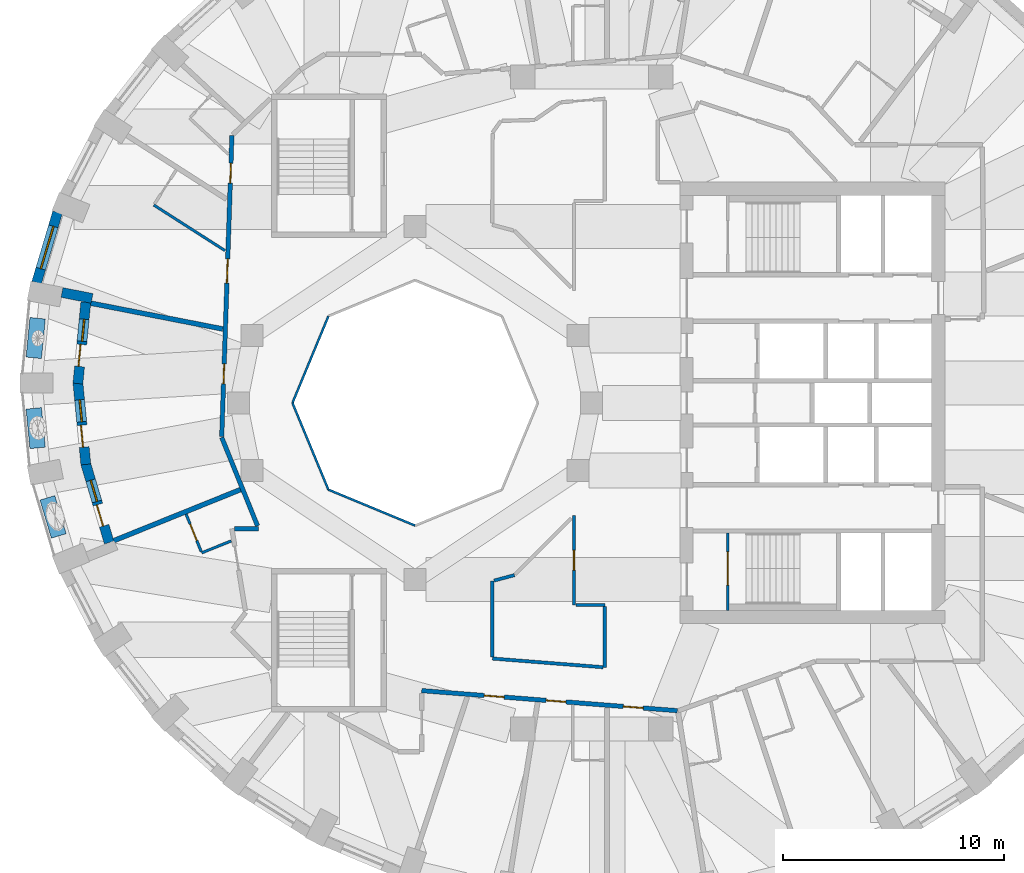
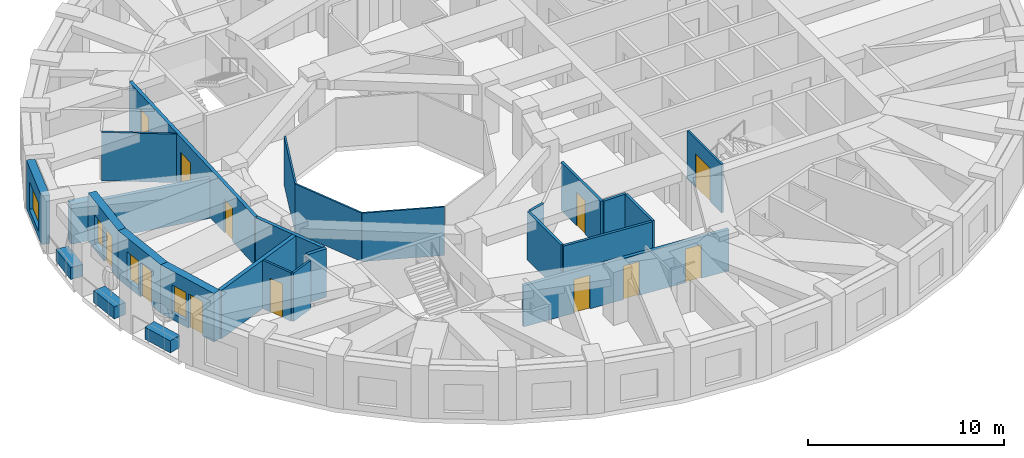
# One storey, part 4 of 12: 27 walls, 12 doors, 4 windows, 16 openings.
"""IFC4 building model written with IfcOpenShell, lengths in metres."""

from ifc_helpers import new_model, si_unit, direction, frame, frame_2d, origin, place, context, subcontext, project, spatial, rectangle, extrude, material, layer, layer_set, constituent, constituent_set, type_object, element, fill, save


model = new_model("IFC4")

# Units and contexts
model_context = context("Model", 3, precision=1e-05, world=origin(), true_north=direction((0.0, 1.0)))
body_context = subcontext(model_context, "Body", "Model", "MODEL_VIEW")
ifc_project = project(units=[si_unit("LENGTHUNIT", "METRE"), si_unit("AREAUNIT", "SQUARE_METRE"), si_unit("VOLUMEUNIT", "CUBIC_METRE"), si_unit("PLANEANGLEUNIT", "RADIAN"), si_unit("MASSUNIT", "GRAM", prefix="KILO")], contexts=[model_context])

# Site, building, storey
site_placement = place(None, origin())
site = spatial("IfcSite", under=ifc_project, at=site_placement, CompositionType="ELEMENT")
building_placement = place(site_placement, origin())
building = spatial("IfcBuilding", under=site, at=building_placement, Name="Taillehof Tower", CompositionType="ELEMENT")
storey_placement = place(building_placement, frame((0.0, 0.0, 189.199951171875)))
storey = spatial("IfcBuildingStorey", under=building, at=storey_placement, Name="L53", CompositionType="ELEMENT", Elevation=189.199951171875)

# Walls
ifc_material_1 = material(Name="Fire-resisting glass in steel frame", Category="steel")
ifc_layer_1 = layer(ifc_material_1, 0.10009765625)
ifc_layer_set_1 = layer_set([ifc_layer_1], Name="Atrium fire-resisting screen EI 60 100")
wall_type_1 = type_object("IfcWallType", Name="Atrium fire-resisting screen EI 60 100", PredefinedType="PARTITIONING", material=ifc_layer_set_1)
for number, where, z_axis, x_axis, name in (
    (1, (-8.0, -5.55419921875, 0.0), (0.0, 0.0, 1.0), (-0.923860025149, 0.382730523909, 0.0), "Atrium screen"),
    (2, (-11.92724609375, -3.92724609375, 0.0), (0.0, 0.0, 1.0), (-0.382730523909, 0.923860025149, 0.0), "Atrium screen"),
    (3, (-13.55419921875, 0.0, 0.0), (0.0, 0.0, 1.0), (0.382730523909, 0.923860025149, 0.0), "Atrium screen"),
):
    element("IfcWall", number, at=place(storey_placement, frame(where, z_axis=z_axis, x_axis=x_axis)), inside=storey, type_object=wall_type_1, Name=name, PredefinedType="PARTITIONING", context=body_context, shape_type="SweptSolid", body=[
        extrude(rectangle(XDim=4.2509765625, YDim=0.10009765625, at=frame_2d((2.12548828125, 0.0))), origin(), (0.0, 0.0, 1.0), 3.02001953125),
    ])

# Wall, opening, window
ifc_material_2 = material(Name="Brick masonry", Category="masonry")
ifc_layer_2 = layer(ifc_material_2, 0.449951171875)
ifc_layer_set_2 = layer_set([ifc_layer_2], Name="Brick infill wall 450")
wall_type_2 = type_object("IfcWallType", Name="Brick infill wall 450", PredefinedType="SOLIDWALL", material=ifc_layer_set_2)
wall_1_placement = place(storey_placement, frame((-24.200439453125, 8.634033203125, 0.0), z_axis=(0.0, 0.0, 1.0), x_axis=(-0.285444972963, -0.958395099847, 0.0)))
wall_1 = element("IfcWall", 4, at=wall_1_placement, inside=storey, type_object=wall_type_2, Name="Brick wall L53 bay 17", PredefinedType="SOLIDWALL", context=body_context, shape_type="SweptSolid", body=[
    extrude(rectangle(XDim=3.3203125, YDim=0.449951171875, at=frame_2d((1.66015625, 0.0))), origin(), (0.0, 0.0, 1.0), 3.02001953125),
])
opening_1_placement = place(wall_1_placement, frame((0.66015625, 0.0, 0.39990234375)))
opening_1 = element("IfcOpeningElement", 5, at=opening_1_placement, cuts=wall_1, Name="Opening W2", PredefinedType="OPENING", context=body_context, shape_type="SweptSolid", body=[
    extrude(rectangle(XDim=2.0, YDim=1.75, at=frame_2d((1.0, 0.875))), frame((0.0, 0.23486328125, 0.0), z_axis=(0.0, -1.0, 0.0), x_axis=(1.0, 0.0, 0.0)), (0.0, 0.0, 1.0), 0.469970703125),
])
ifc_material_3 = material(Name="Aluminium window frame with clear double glazing", Category="aluminium")
window_type_1 = type_object("IfcWindowType", Name="Deep-set window 2000x1750", PartitioningType="SINGLE_PANEL", PredefinedType="WINDOW", material=ifc_material_3)
window_1_placement = place(opening_1_placement, origin())
window_1 = element("IfcWindow", 6, at=window_1_placement, inside=storey, type_object=window_type_1, Name="W2", OverallHeight=1.75, OverallWidth=2.0, PartitioningType="SINGLE_PANEL", PredefinedType="WINDOW", context=body_context, shape_type="SweptSolid", body=[
    extrude(rectangle(XDim=2.0, YDim=1.75, at=frame_2d((1.0, 0.875))), frame((0.0, 0.034912109375, 0.0), z_axis=(0.0, -1.0, 0.0), x_axis=(1.0, 0.0, 0.0)), (0.0, 0.0, 1.0), 0.06005859375),
])
fill(opening_1, window_1)

# Wall
wall_2_placement = place(storey_placement, frame((-24.000244140625, 5.004638671875, 0.0), z_axis=(0.0, 0.0, 1.0), x_axis=(0.981402725872, -0.191960125157, 0.0)))
element("IfcWall", 7, at=wall_2_placement, inside=storey, type_object=wall_type_2, Name="Brick reveal L53 pocket 5", PredefinedType="SOLIDWALL", context=body_context, shape_type="SweptSolid", body=[
    extrude(rectangle(XDim=1.39013671875, YDim=0.449951171875, at=frame_2d((0.695068359375, 0.0))), origin(), (0.0, 0.0, 1.0), 2.469970703125),
])

# Wall, openings, door, window
wall_3_placement = place(storey_placement, frame((-22.918701171875, 4.56396484375, 0.0), z_axis=(0.0, 0.0, 1.0), x_axis=(-0.096520145037, -0.995331031166, 0.0)))
wall_3 = element("IfcWall", 8, at=wall_3_placement, inside=storey, type_object=wall_type_2, Name="Brick wall L53 pocket bay 18", PredefinedType="SOLIDWALL", context=body_context, shape_type="SweptSolid", body=[
    extrude(rectangle(XDim=3.703125, YDim=0.449951171875, at=frame_2d((1.8515625, 0.0))), origin(), (0.0, 0.0, 1.0), 3.02001953125),
])
opening_2_placement = place(wall_3_placement, frame((0.7763671875, 0.0, 0.39990234375)))
opening_2 = element("IfcOpeningElement", 9, at=opening_2_placement, cuts=wall_3, Name="Opening W5", PredefinedType="OPENING", context=body_context, shape_type="SweptSolid", body=[
    extrude(rectangle(XDim=1.0, YDim=1.75, at=frame_2d((0.5, 0.875))), frame((0.0, 0.23486328125, 0.0), z_axis=(0.0, -1.0, 0.0), x_axis=(1.0, 0.0, 0.0)), (0.0, 0.0, 1.0), 0.469970703125),
])
opening_3_placement = place(wall_3_placement, frame((1.926513671875, 0.0, 0.0)))
opening_3 = element("IfcOpeningElement", 10, at=opening_3_placement, cuts=wall_3, Name="Opening D5394", PredefinedType="OPENING", context=body_context, shape_type="SweptSolid", body=[
    extrude(rectangle(XDim=1.0, YDim=2.14990234375, at=frame_2d((0.5, 1.074951171875))), frame((0.0, 0.23486328125, 0.0), z_axis=(0.0, -1.0, 0.0), x_axis=(1.0, 0.0, 0.0)), (0.0, 0.0, 1.0), 0.469970703125),
])
ifc_material_4 = material(Name="Aluminium door frame with clear double glazing", Category="aluminium")
door_type_1 = type_object("IfcDoorType", Name="Balcony door 1000x2150", OperationType="SINGLE_SWING_RIGHT", PredefinedType="DOOR", material=ifc_material_4)
door_1_placement = place(opening_3_placement, frame((1.0, 0.0, 0.0), z_axis=(0.0, 0.0, 1.0), x_axis=(-1.0, 0.0, 0.0)))
door_1 = element("IfcDoor", 11, at=door_1_placement, inside=storey, type_object=door_type_1, Name="Balcony door L53 bay 18", OperationType="SINGLE_SWING_RIGHT", OverallHeight=2.14990234375, OverallWidth=1.0, PredefinedType="DOOR", context=body_context, shape_type="SweptSolid", body=[
    extrude(rectangle(XDim=1.0, YDim=2.14990234375, at=frame_2d((0.5, 1.074951171875))), frame((0.0, 0.0751953125, 0.0), z_axis=(0.0, -1.0, 0.0), x_axis=(1.0, 0.0, 0.0)), (0.0, 0.0, 1.0), 0.050048828125),
])
fill(opening_3, door_1)
ifc_material_5 = material(Name="Aluminium window frame with clear double glazing", Category="aluminium")
window_type_2 = type_object("IfcWindowType", Name="Fixed window 1000x1750", PartitioningType="SINGLE_PANEL", PredefinedType="WINDOW", material=ifc_material_5)
window_2_placement = place(opening_2_placement, origin())
window_2 = element("IfcWindow", 12, at=window_2_placement, inside=storey, type_object=window_type_2, Name="W5", OverallHeight=1.75, OverallWidth=1.0, PartitioningType="SINGLE_PANEL", PredefinedType="WINDOW", context=body_context, shape_type="SweptSolid", body=[
    extrude(rectangle(XDim=1.0, YDim=1.75, at=frame_2d((0.5, 0.875))), frame((0.0, 0.034912109375, 0.0), z_axis=(0.0, -1.0, 0.0), x_axis=(1.0, 0.0, 0.0)), (0.0, 0.0, 1.0), 0.06005859375),
])
fill(opening_2, window_2)

wall_4_placement = place(storey_placement, frame((-23.276123046875, 0.921630859375, 0.0), z_axis=(0.0, 0.0, 1.0), x_axis=(0.096556729592, -0.995327482777, 0.0)))
wall_4 = element("IfcWall", 13, at=wall_4_placement, inside=storey, type_object=wall_type_2, Name="Brick wall L53 pocket bay 19", PredefinedType="SOLIDWALL", context=body_context, shape_type="SweptSolid", body=[
    extrude(rectangle(XDim=3.724365234375, YDim=0.449951171875, at=frame_2d((1.8623046875, 0.0))), origin(), (0.0, 0.0, 1.0), 3.02001953125),
])
opening_4_placement = place(wall_4_placement, frame((0.787353515625, 0.0, 0.39990234375)))
opening_4 = element("IfcOpeningElement", 14, at=opening_4_placement, cuts=wall_4, Name="Opening W5", PredefinedType="OPENING", context=body_context, shape_type="SweptSolid", body=[
    extrude(rectangle(XDim=1.0, YDim=1.75, at=frame_2d((0.5, 0.875))), frame((0.0, 0.23486328125, 0.0), z_axis=(0.0, -1.0, 0.0), x_axis=(1.0, 0.0, 0.0)), (0.0, 0.0, 1.0), 0.469970703125),
])
opening_5_placement = place(wall_4_placement, frame((1.937255859375, 0.0, 0.0)))
opening_5 = element("IfcOpeningElement", 15, at=opening_5_placement, cuts=wall_4, Name="Opening D5395", PredefinedType="OPENING", context=body_context, shape_type="SweptSolid", body=[
    extrude(rectangle(XDim=1.0, YDim=2.14990234375, at=frame_2d((0.5, 1.074951171875))), frame((0.0, 0.23486328125, 0.0), z_axis=(0.0, -1.0, 0.0), x_axis=(1.0, 0.0, 0.0)), (0.0, 0.0, 1.0), 0.469970703125),
])
door_2_placement = place(opening_5_placement, frame((1.0, 0.0, 0.0), z_axis=(0.0, 0.0, 1.0), x_axis=(-1.0, 0.0, 0.0)))
door_2 = element("IfcDoor", 16, at=door_2_placement, inside=storey, type_object=door_type_1, Name="Balcony door L53 bay 19", OperationType="SINGLE_SWING_LEFT", OverallHeight=2.14990234375, OverallWidth=1.0, PredefinedType="DOOR", context=body_context, shape_type="SweptSolid", body=[
    extrude(rectangle(XDim=1.0, YDim=2.14990234375, at=frame_2d((0.5, 1.074951171875))), frame((0.0, 0.0751953125, 0.0), z_axis=(0.0, -1.0, 0.0), x_axis=(1.0, 0.0, 0.0)), (0.0, 0.0, 1.0), 0.050048828125),
])
fill(opening_5, door_2)
window_3_placement = place(opening_4_placement, origin())
window_3 = element("IfcWindow", 17, at=window_3_placement, inside=storey, type_object=window_type_2, Name="W5", OverallHeight=1.75, OverallWidth=1.0, PartitioningType="SINGLE_PANEL", PredefinedType="WINDOW", context=body_context, shape_type="SweptSolid", body=[
    extrude(rectangle(XDim=1.0, YDim=1.75, at=frame_2d((0.5, 0.875))), frame((0.0, 0.034912109375, 0.0), z_axis=(0.0, -1.0, 0.0), x_axis=(1.0, 0.0, 0.0)), (0.0, 0.0, 1.0), 0.06005859375),
])
fill(opening_4, window_3)

wall_5_placement = place(storey_placement, frame((-22.9248046875, -2.7431640625, 0.0), z_axis=(0.0, 0.0, 1.0), x_axis=(0.284722093158, -0.958610103049, 0.0)))
wall_5 = element("IfcWall", 18, at=wall_5_placement, inside=storey, type_object=wall_type_2, Name="Brick wall L53 pocket bay 20", PredefinedType="SOLIDWALL", context=body_context, shape_type="SweptSolid", body=[
    extrude(rectangle(XDim=3.73779296875, YDim=0.449951171875, at=frame_2d((1.868896484375, 0.0))), origin(), (0.0, 0.0, 1.0), 3.02001953125),
])
opening_6_placement = place(wall_5_placement, frame((0.793701171875, 0.0, 0.39990234375)))
opening_6 = element("IfcOpeningElement", 19, at=opening_6_placement, cuts=wall_5, Name="Opening W5", PredefinedType="OPENING", context=body_context, shape_type="SweptSolid", body=[
    extrude(rectangle(XDim=1.0, YDim=1.75, at=frame_2d((0.5, 0.875))), frame((0.0, 0.23486328125, 0.0), z_axis=(0.0, -1.0, 0.0), x_axis=(1.0, 0.0, 0.0)), (0.0, 0.0, 1.0), 0.469970703125),
])
opening_7_placement = place(wall_5_placement, frame((1.94384765625, 0.0, 0.0)))
opening_7 = element("IfcOpeningElement", 20, at=opening_7_placement, cuts=wall_5, Name="Opening D5396", PredefinedType="OPENING", context=body_context, shape_type="SweptSolid", body=[
    extrude(rectangle(XDim=1.0, YDim=2.14990234375, at=frame_2d((0.5, 1.074951171875))), frame((0.0, 0.23486328125, 0.0), z_axis=(0.0, -1.0, 0.0), x_axis=(1.0, 0.0, 0.0)), (0.0, 0.0, 1.0), 0.469970703125),
])
door_3_placement = place(opening_7_placement, frame((1.0, 0.0, 0.0), z_axis=(0.0, 0.0, 1.0), x_axis=(-1.0, 0.0, 0.0)))
door_3 = element("IfcDoor", 21, at=door_3_placement, inside=storey, type_object=door_type_1, Name="Balcony door L53 bay 20", OperationType="SINGLE_SWING_LEFT", OverallHeight=2.14990234375, OverallWidth=1.0, PredefinedType="DOOR", context=body_context, shape_type="SweptSolid", body=[
    extrude(rectangle(XDim=1.0, YDim=2.14990234375, at=frame_2d((0.5, 1.074951171875))), frame((0.0, 0.0751953125, 0.0), z_axis=(0.0, -1.0, 0.0), x_axis=(1.0, 0.0, 0.0)), (0.0, 0.0, 1.0), 0.050048828125),
])
fill(opening_7, door_3)
window_4_placement = place(opening_6_placement, origin())
window_4 = element("IfcWindow", 22, at=window_4_placement, inside=storey, type_object=window_type_2, Name="W5", OverallHeight=1.75, OverallWidth=1.0, PartitioningType="SINGLE_PANEL", PredefinedType="WINDOW", context=body_context, shape_type="SweptSolid", body=[
    extrude(rectangle(XDim=1.0, YDim=1.75, at=frame_2d((0.5, 0.875))), frame((0.0, 0.034912109375, 0.0), z_axis=(0.0, -1.0, 0.0), x_axis=(1.0, 0.0, 0.0)), (0.0, 0.0, 1.0), 0.06005859375),
])
fill(opening_6, window_4)

# Wall, openings, doors
ifc_material_6 = material(Name="Gypsum board on steel studs, two layers each side", Category="steel")
ifc_layer_3 = layer(ifc_material_6, 0.199951171875)
ifc_layer_set_3 = layer_set([ifc_layer_3], Name="Compartment wall corridor 200")
wall_type_3 = type_object("IfcWallType", Name="Compartment wall corridor 200", PredefinedType="PARTITIONING", material=ifc_layer_set_3)
wall_6_placement = place(storey_placement, frame((3.880615234375, -13.94287109375, 0.0), z_axis=(0.0, 0.0, 1.0), x_axis=(-0.996932335491, 0.078268246772, 0.0)))
wall_6 = element("IfcWall", 23, at=wall_6_placement, inside=storey, type_object=wall_type_3, Name="Compartment wall", PredefinedType="PARTITIONING", context=body_context, shape_type="SweptSolid", body=[
    extrude(rectangle(XDim=11.6162109375, YDim=0.199951171875, at=frame_2d((5.80810546875, 0.0))), origin(), (0.0, 0.0, 1.0), 2.570068359375),
])
opening_8_placement = place(wall_6_placement, frame((7.87109375, 0.0, 0.0)))
opening_8 = element("IfcOpeningElement", 24, at=opening_8_placement, cuts=wall_6, Name="Opening D5358", PredefinedType="OPENING", context=body_context, shape_type="SweptSolid", body=[
    extrude(rectangle(XDim=0.89990234375, YDim=2.10009765625, at=frame_2d((0.449951171875, 1.050048828125))), frame((0.0, 0.10986328125, 0.0), z_axis=(0.0, -1.0, 0.0), x_axis=(1.0, 0.0, 0.0)), (0.0, 0.0, 1.0), 0.219970703125),
])
opening_9_placement = place(wall_6_placement, frame((5.06201171875, 0.0, 0.0)))
opening_9 = element("IfcOpeningElement", 25, at=opening_9_placement, cuts=wall_6, Name="Opening D5359", PredefinedType="OPENING", context=body_context, shape_type="SweptSolid", body=[
    extrude(rectangle(XDim=0.89990234375, YDim=2.10009765625, at=frame_2d((0.449951171875, 1.050048828125))), frame((0.0, 0.10986328125, 0.0), z_axis=(0.0, -1.0, 0.0), x_axis=(1.0, 0.0, 0.0)), (0.0, 0.0, 1.0), 0.219970703125),
])
opening_10_placement = place(wall_6_placement, frame((1.554443359375, 0.0, 0.0)))
opening_10 = element("IfcOpeningElement", 26, at=opening_10_placement, cuts=wall_6, Name="Opening D5361", PredefinedType="OPENING", context=body_context, shape_type="SweptSolid", body=[
    extrude(rectangle(XDim=0.89990234375, YDim=2.10009765625, at=frame_2d((0.449951171875, 1.050048828125))), frame((0.0, 0.10986328125, 0.0), z_axis=(0.0, -1.0, 0.0), x_axis=(1.0, 0.0, 0.0)), (0.0, 0.0, 1.0), 0.219970703125),
])
ifc_material_7 = material(Name="Timber door leaf in steel frame", Category="steel")
door_type_2 = type_object("IfcDoorType", Name="Guest room door EI 30 900 x 2100", OperationType="SINGLE_SWING_LEFT", PredefinedType="DOOR", material=ifc_material_7)
door_4_placement = place(opening_9_placement, origin())
door_4 = element("IfcDoor", 27, at=door_4_placement, inside=storey, type_object=door_type_2, Name="D5359", OperationType="SINGLE_SWING_RIGHT", OverallHeight=2.10009765625, OverallWidth=0.89990234375, PredefinedType="DOOR", context=body_context, shape_type="SweptSolid", body=[
    extrude(rectangle(XDim=0.89990234375, YDim=2.10009765625, at=frame_2d((0.449951171875, 1.050048828125))), frame((0.0, 0.02490234375, 0.0), z_axis=(0.0, -1.0, 0.0), x_axis=(1.0, 0.0, 0.0)), (0.0, 0.0, 1.0), 0.050048828125),
])
fill(opening_9, door_4)
ifc_material_8 = material(Name="Timber door leaf in steel frame", Category="steel")
door_type_3 = type_object("IfcDoorType", Name="Service room door EI 30 900 x 2100", OperationType="SINGLE_SWING_LEFT", PredefinedType="DOOR", material=ifc_material_8)
door_5_placement = place(opening_8_placement, origin())
door_5 = element("IfcDoor", 28, at=door_5_placement, inside=storey, type_object=door_type_3, Name="D5358", OperationType="SINGLE_SWING_RIGHT", OverallHeight=2.10009765625, OverallWidth=0.89990234375, PredefinedType="DOOR", context=body_context, shape_type="SweptSolid", body=[
    extrude(rectangle(XDim=0.89990234375, YDim=2.10009765625, at=frame_2d((0.449951171875, 1.050048828125))), frame((0.0, 0.02490234375, 0.0), z_axis=(0.0, -1.0, 0.0), x_axis=(1.0, 0.0, 0.0)), (0.0, 0.0, 1.0), 0.050048828125),
])
fill(opening_8, door_5)
door_6_placement = place(opening_10_placement, origin())
door_6 = element("IfcDoor", 29, at=door_6_placement, inside=storey, type_object=door_type_3, Name="D5361", OperationType="SINGLE_SWING_RIGHT", OverallHeight=2.10009765625, OverallWidth=0.89990234375, PredefinedType="DOOR", context=body_context, shape_type="SweptSolid", body=[
    extrude(rectangle(XDim=0.89990234375, YDim=2.10009765625, at=frame_2d((0.449951171875, 1.050048828125))), frame((0.0, 0.02490234375, 0.0), z_axis=(0.0, -1.0, 0.0), x_axis=(1.0, 0.0, 0.0)), (0.0, 0.0, 1.0), 0.050048828125),
])
fill(opening_10, door_6)

# Walls
wall_7_placement = place(storey_placement, frame((-16.179931640625, -5.699951171875, 0.0), z_axis=(0.0, 0.0, 1.0), x_axis=(1.0, 0.0, 0.0)))
element("IfcWall", 30, at=wall_7_placement, inside=storey, type_object=wall_type_3, Name="Compartment wall", PredefinedType="PARTITIONING", context=body_context, shape_type="SweptSolid", body=[
    extrude(rectangle(XDim=1.095947265625, YDim=0.199951171875, at=frame_2d((0.5478515625, 0.0))), origin(), (0.0, 0.0, 1.0), 3.02001953125),
])
wall_8_placement = place(storey_placement, frame((-15.136962890625, -5.570068359375, 0.0), z_axis=(0.0, 0.0, 1.0), x_axis=(-0.375464059939, 0.926836954213, 0.0)))
element("IfcWall", 31, at=wall_8_placement, inside=storey, type_object=wall_type_3, Name="Compartment wall", PredefinedType="PARTITIONING", context=body_context, shape_type="SweptSolid", body=[
    extrude(rectangle(XDim=4.325927734375, YDim=0.199951171875, at=frame_2d((2.1630859375, 0.0))), origin(), (0.0, 0.0, 1.0), 3.02001953125),
])

# Wall, openings, doors
wall_9_placement = place(storey_placement, frame((-16.759765625, -1.5205078125, 0.0), z_axis=(0.0, 0.0, 1.0), x_axis=(0.033695560079, 0.999432143385, 0.0)))
wall_9 = element("IfcWall", 32, at=wall_9_placement, inside=storey, type_object=wall_type_3, Name="Compartment wall", PredefinedType="PARTITIONING", context=body_context, shape_type="SweptSolid", body=[
    extrude(rectangle(XDim=13.643310546875, YDim=0.199951171875, at=frame_2d((6.82177734375, 0.0))), origin(), (0.0, 0.0, 1.0), 3.02001953125),
])
opening_11_placement = place(wall_9_placement, frame((11.48876953125, 0.0, 0.0)))
opening_11 = element("IfcOpeningElement", 33, at=opening_11_placement, cuts=wall_9, Name="Opening D5350", PredefinedType="OPENING", context=body_context, shape_type="SweptSolid", body=[
    extrude(rectangle(XDim=0.89990234375, YDim=2.10009765625, at=frame_2d((0.449951171875, 1.050048828125))), frame((0.0, 0.10986328125, 0.0), z_axis=(0.0, -1.0, 0.0), x_axis=(1.0, 0.0, 0.0)), (0.0, 0.0, 1.0), 0.219970703125),
])
opening_12_placement = place(wall_9_placement, frame((6.953857421875, 0.0, 0.0)))
opening_12 = element("IfcOpeningElement", 34, at=opening_12_placement, cuts=wall_9, Name="Opening D5352", PredefinedType="OPENING", context=body_context, shape_type="SweptSolid", body=[
    extrude(rectangle(XDim=1.10009765625, YDim=2.10009765625, at=frame_2d((0.550048828125, 1.050048828125))), frame((0.0, 0.10986328125, 0.0), z_axis=(0.0, -1.0, 0.0), x_axis=(1.0, 0.0, 0.0)), (0.0, 0.0, 1.0), 0.219970703125),
])
opening_13_placement = place(wall_9_placement, frame((2.389892578125, 0.0, 0.0)))
opening_13 = element("IfcOpeningElement", 35, at=opening_13_placement, cuts=wall_9, Name="Opening D5354", PredefinedType="OPENING", context=body_context, shape_type="SweptSolid", body=[
    extrude(rectangle(XDim=0.89990234375, YDim=2.10009765625, at=frame_2d((0.449951171875, 1.050048828125))), frame((0.0, 0.10986328125, 0.0), z_axis=(0.0, -1.0, 0.0), x_axis=(1.0, 0.0, 0.0)), (0.0, 0.0, 1.0), 0.219970703125),
])
door_7_placement = place(opening_11_placement, origin())
door_7 = element("IfcDoor", 36, at=door_7_placement, inside=storey, type_object=door_type_2, Name="D5350", OperationType="SINGLE_SWING_RIGHT", OverallHeight=2.10009765625, OverallWidth=0.89990234375, PredefinedType="DOOR", context=body_context, shape_type="SweptSolid", body=[
    extrude(rectangle(XDim=0.89990234375, YDim=2.10009765625, at=frame_2d((0.449951171875, 1.050048828125))), frame((0.0, 0.02490234375, 0.0), z_axis=(0.0, -1.0, 0.0), x_axis=(1.0, 0.0, 0.0)), (0.0, 0.0, 1.0), 0.050048828125),
])
fill(opening_11, door_7)
door_8_placement = place(opening_13_placement, origin())
door_8 = element("IfcDoor", 37, at=door_8_placement, inside=storey, type_object=door_type_3, Name="D5354", OperationType="SINGLE_SWING_RIGHT", OverallHeight=2.10009765625, OverallWidth=0.89990234375, PredefinedType="DOOR", context=body_context, shape_type="SweptSolid", body=[
    extrude(rectangle(XDim=0.89990234375, YDim=2.10009765625, at=frame_2d((0.449951171875, 1.050048828125))), frame((0.0, 0.02490234375, 0.0), z_axis=(0.0, -1.0, 0.0), x_axis=(1.0, 0.0, 0.0)), (0.0, 0.0, 1.0), 0.050048828125),
])
fill(opening_13, door_8)
ifc_material_9 = material(Name="Timber door leaf in steel frame", Category="steel")
door_type_4 = type_object("IfcDoorType", Name="Suite entrance door EI 30 1100 x 2100", OperationType="SINGLE_SWING_LEFT", PredefinedType="DOOR", material=ifc_material_9)
door_9_placement = place(opening_12_placement, origin())
door_9 = element("IfcDoor", 38, at=door_9_placement, inside=storey, type_object=door_type_4, Name="D5352", OperationType="SINGLE_SWING_RIGHT", OverallHeight=2.10009765625, OverallWidth=1.10009765625, PredefinedType="DOOR", context=body_context, shape_type="SweptSolid", body=[
    extrude(rectangle(XDim=1.10009765625, YDim=2.10009765625, at=frame_2d((0.550048828125, 1.050048828125))), frame((0.0, 0.02490234375, 0.0), z_axis=(0.0, -1.0, 0.0), x_axis=(1.0, 0.0, 0.0)), (0.0, 0.0, 1.0), 0.050048828125),
])
fill(opening_12, door_9)

# Walls
ifc_material_10 = material(Name="Gypsum board on double steel studs with mineral wool", Category="steel")
ifc_layer_4 = layer(ifc_material_10, 0.219970703125)
ifc_layer_set_4 = layer_set([ifc_layer_4], Name="Compartment wall guest room 220")
wall_type_4 = type_object("IfcWallType", Name="Compartment wall guest room 220", PredefinedType="PARTITIONING", material=ifc_layer_set_4)
wall_10_placement = place(storey_placement, frame((-22.69677734375, 4.5205078125, 0.0), z_axis=(0.0, 0.0, 1.0), x_axis=(0.981441525081, -0.19176165635, 0.0)))
element("IfcWall", 39, at=wall_10_placement, inside=storey, type_object=wall_type_4, Name="Compartment wall", PredefinedType="PARTITIONING", context=body_context, shape_type="SweptSolid", body=[
    extrude(rectangle(XDim=6.094482421875, YDim=0.219970703125, at=frame_2d((3.04736328125, 0.0))), origin(), (0.0, 0.0, 1.0), 2.469970703125),
])
wall_11_placement = place(storey_placement, frame((-21.65087890625, -6.241455078125, 0.0), z_axis=(0.0, 0.0, 1.0), x_axis=(0.927381885483, 0.374116076208, 0.0)))
element("IfcWall", 40, at=wall_11_placement, inside=storey, type_object=wall_type_4, Name="Compartment wall", PredefinedType="PARTITIONING", context=body_context, shape_type="SweptSolid", body=[
    extrude(rectangle(XDim=6.189697265625, YDim=0.219970703125, at=frame_2d((3.0947265625, 0.0))), origin(), (0.0, 0.0, 1.0), 3.02001953125),
])

# Wall, opening, door
ifc_material_11 = material(Name="Gypsum board on steel studs, two layers each side", Category="steel")
ifc_layer_5 = layer(ifc_material_11, 0.14990234375)
ifc_layer_set_5 = layer_set([ifc_layer_5], Name="Compartment wall service room 150")
wall_type_5 = type_object("IfcWallType", Name="Compartment wall service room 150", PredefinedType="PARTITIONING", material=ifc_layer_set_5)
wall_12_placement = place(storey_placement, frame((-0.800048828125, -5.103759765625, 0.0), z_axis=(0.0, 0.0, 1.0), x_axis=(0.0, -1.0, 0.0)))
wall_12 = element("IfcWall", 41, at=wall_12_placement, inside=storey, type_object=wall_type_5, Name="Compartment wall", PredefinedType="PARTITIONING", context=body_context, shape_type="SweptSolid", body=[
    extrude(rectangle(XDim=4.046142578125, YDim=0.14990234375, at=frame_2d((2.02294921875, 0.0))), origin(), (0.0, 0.0, 1.0), 3.02001953125),
])
opening_14_placement = place(wall_12_placement, frame((1.572998046875, 0.0, 0.0)))
opening_14 = element("IfcOpeningElement", 42, at=opening_14_placement, cuts=wall_12, Name="Opening D5373", PredefinedType="OPENING", context=body_context, shape_type="SweptSolid", body=[
    extrude(rectangle(XDim=0.89990234375, YDim=2.10009765625, at=frame_2d((0.449951171875, 1.050048828125))), frame((0.0, 0.0849609375, 0.0), z_axis=(0.0, -1.0, 0.0), x_axis=(1.0, 0.0, 0.0)), (0.0, 0.0, 1.0), 0.169921875),
])
door_10_placement = place(opening_14_placement, origin())
door_10 = element("IfcDoor", 43, at=door_10_placement, inside=storey, type_object=door_type_3, Name="D5373", OperationType="SINGLE_SWING_RIGHT", OverallHeight=2.10009765625, OverallWidth=0.89990234375, PredefinedType="DOOR", context=body_context, shape_type="SweptSolid", body=[
    extrude(rectangle(XDim=0.89990234375, YDim=2.10009765625, at=frame_2d((0.449951171875, 1.050048828125))), frame((0.0, 0.02490234375, 0.0), z_axis=(0.0, -1.0, 0.0), x_axis=(1.0, 0.0, 0.0)), (0.0, 0.0, 1.0), 0.050048828125),
])
fill(opening_14, door_10)

# Walls
wall_13_placement = place(storey_placement, frame((-0.719970703125, -9.14990234375, 0.0), z_axis=(0.0, 0.0, 1.0), x_axis=(1.0, 0.0, 0.0)))
element("IfcWall", 44, at=wall_13_placement, inside=storey, type_object=wall_type_5, Name="Compartment wall", PredefinedType="PARTITIONING", context=body_context, shape_type="SweptSolid", body=[
    extrude(rectangle(XDim=1.320068359375, YDim=0.14990234375, at=frame_2d((0.66015625, 0.0))), origin(), (0.0, 0.0, 1.0), 3.02001953125),
])
wall_14_placement = place(storey_placement, frame((0.60009765625, -9.22998046875, 0.0), z_axis=(0.0, 0.0, 1.0), x_axis=(0.0, -1.0, 0.0)))
element("IfcWall", 45, at=wall_14_placement, inside=storey, type_object=wall_type_5, Name="Compartment wall", PredefinedType="PARTITIONING", context=body_context, shape_type="SweptSolid", body=[
    extrude(rectangle(XDim=2.75, YDim=0.14990234375, at=frame_2d((1.375, 0.0))), origin(), (0.0, 0.0, 1.0), 3.02001953125),
])
wall_15_placement = place(storey_placement, frame((0.52001953125, -11.97412109375, 0.0), z_axis=(0.0, 0.0, 1.0), x_axis=(-0.996925915355, 0.078349979536, 0.0)))
element("IfcWall", 46, at=wall_15_placement, inside=storey, type_object=wall_type_5, Name="Compartment wall", PredefinedType="PARTITIONING", context=body_context, shape_type="SweptSolid", body=[
    extrude(rectangle(XDim=5.035400390625, YDim=0.14990234375, at=frame_2d((2.517578125, 0.0))), origin(), (0.0, 0.0, 1.0), 3.02001953125),
])
wall_16_placement = place(storey_placement, frame((-4.5, -11.49951171875, 0.0), z_axis=(0.0, 0.0, 1.0), x_axis=(0.0, 1.0, 0.0)))
element("IfcWall", 47, at=wall_16_placement, inside=storey, type_object=wall_type_5, Name="Compartment wall", PredefinedType="PARTITIONING", context=body_context, shape_type="SweptSolid", body=[
    extrude(rectangle(XDim=3.430419921875, YDim=0.14990234375, at=frame_2d((1.71533203125, 0.0))), origin(), (0.0, 0.0, 1.0), 3.02001953125),
])
wall_17_placement = place(storey_placement, frame((-4.4228515625, -8.048583984375, 0.0), z_axis=(0.0, 0.0, 1.0), x_axis=(0.96590031435, 0.25891423819, 0.0)))
element("IfcWall", 48, at=wall_17_placement, inside=storey, type_object=wall_type_5, Name="Compartment wall", PredefinedType="PARTITIONING", context=body_context, shape_type="SweptSolid", body=[
    extrude(rectangle(XDim=0.958984375, YDim=0.14990234375, at=frame_2d((0.4794921875, 0.0))), origin(), (0.0, 0.0, 1.0), 3.02001953125),
])
ifc_material_12 = material(Name="Gypsum board on steel studs, moisture resistant", Category="steel")
ifc_layer_6 = layer(ifc_material_12, 0.1201171875)
ifc_layer_set_6 = layer_set([ifc_layer_6], Name="En-suite wall 120")
wall_type_6 = type_object("IfcWallType", Name="En-suite wall 120", PredefinedType="PARTITIONING", material=ifc_layer_set_6)
wall_18_placement = place(storey_placement, frame((-16.6103515625, 6.902099609375, 0.0), z_axis=(0.0, 0.0, 1.0), x_axis=(-0.842288763401, 0.539026566181, 0.0)))
element("IfcWall", 49, at=wall_18_placement, inside=storey, type_object=wall_type_6, Name="En-suite wall", PredefinedType="PARTITIONING", context=body_context, shape_type="SweptSolid", body=[
    extrude(rectangle(XDim=3.830322265625, YDim=0.1201171875, at=frame_2d((1.9150390625, 0.0))), origin(), (0.0, 0.0, 1.0), 3.02001953125),
])
wall_19_placement = place(storey_placement, frame((-16.33056640625, -6.251953125, 0.0), z_axis=(0.0, 0.0, 1.0), x_axis=(-0.927409233125, -0.374048278053, 0.0)))
element("IfcWall", 50, at=wall_19_placement, inside=storey, type_object=wall_type_6, Name="En-suite wall", PredefinedType="PARTITIONING", context=body_context, shape_type="SweptSolid", body=[
    extrude(rectangle(XDim=1.4404296875, YDim=0.1201171875, at=frame_2d((0.72021484375, 0.0))), origin(), (0.0, 0.0, 1.0), 3.02001953125),
])

# Wall, opening, door
wall_20_placement = place(storey_placement, frame((-17.68896484375, -6.735107421875, 0.0), z_axis=(0.0, 0.0, 1.0), x_axis=(-0.374057168462, 0.927405647342, 0.0)))
wall_20 = element("IfcWall", 51, at=wall_20_placement, inside=storey, type_object=wall_type_6, Name="En-suite wall", PredefinedType="PARTITIONING", context=body_context, shape_type="SweptSolid", body=[
    extrude(rectangle(XDim=1.830078125, YDim=0.1201171875, at=frame_2d((0.9150390625, 0.0))), origin(), (0.0, 0.0, 1.0), 3.02001953125),
])
opening_15_placement = place(wall_20_placement, frame((0.5400390625, 0.0, 0.0)))
opening_15 = element("IfcOpeningElement", 52, at=opening_15_placement, cuts=wall_20, Name="Opening D5356", PredefinedType="OPENING", context=body_context, shape_type="SweptSolid", body=[
    extrude(rectangle(XDim=0.800048828125, YDim=2.10009765625, at=frame_2d((0.39990234375, 1.050048828125))), frame((0.0, 0.070068359375, 0.0), z_axis=(0.0, -1.0, 0.0), x_axis=(1.0, 0.0, 0.0)), (0.0, 0.0, 1.0), 0.14013671875),
])
ifc_material_13 = material(Name="Timber door leaf in steel frame", Category="steel")
door_type_5 = type_object("IfcDoorType", Name="En-suite door 800 x 2100", OperationType="SINGLE_SWING_LEFT", PredefinedType="DOOR", material=ifc_material_13)
door_11_placement = place(opening_15_placement, origin())
door_11 = element("IfcDoor", 53, at=door_11_placement, inside=storey, type_object=door_type_5, Name="D5356", OperationType="SINGLE_SWING_LEFT", OverallHeight=2.10009765625, OverallWidth=0.800048828125, PredefinedType="DOOR", context=body_context, shape_type="SweptSolid", body=[
    extrude(rectangle(XDim=0.800048828125, YDim=2.10009765625, at=frame_2d((0.39990234375, 1.050048828125))), frame((0.0, 0.02490234375, 0.0), z_axis=(0.0, -1.0, 0.0), x_axis=(1.0, 0.0, 0.0)), (0.0, 0.0, 1.0), 0.050048828125),
])
fill(opening_15, door_11)

# Walls
ifc_material_14 = material(Name="Concrete C30/37 precast", Category="concrete")
ifc_constituent_1 = constituent(ifc_material_14, Name="Structure", Category="concrete")
ifc_material_15 = material(Name="Insulated lining")
ifc_constituent_2 = constituent(ifc_material_15, Name="Lining")
ifc_constituent_set = constituent_set(constituents=[ifc_constituent_1, ifc_constituent_2], Name="Planter trough 700x750")
wall_type_7 = type_object("IfcWallType", Name="Planter trough 700x750", PredefinedType="USERDEFINED", material=ifc_constituent_set)
wall_21_placement = place(storey_placement, frame((-25.10205078125, 3.837158203125, 0.0), z_axis=(0.0, 0.0, 1.0), x_axis=(-0.096696932894, -0.995313871685, 0.0)))
element("IfcWall", 54, at=wall_21_placement, inside=storey, type_object=wall_type_7, Name="Planter L53 bay 18", ObjectType="PLANTER", PredefinedType="USERDEFINED", context=body_context, shape_type="SweptSolid", body=[
    extrude(rectangle(XDim=1.80029296875, YDim=0.699951171875, at=frame_2d((0.900146484375, 0.0))), origin(), (0.0, 0.0, 1.0), 0.75),
])
for number, where, z_axis, x_axis, name in (
    (55, (-25.276123046875, -0.24560546875, 0.0), (0.0, 0.0, 1.0), (0.096709987215, -0.995312603343, 0.0), "Planter L53 bay 19"),
    (56, (-24.658203125, -4.298828125, 0.0), (0.0, 0.0, 1.0), (0.285505743157, -0.958376998171, 0.0), "Planter L53 bay 20"),
):
    element("IfcWall", number, at=place(storey_placement, frame(where, z_axis=z_axis, x_axis=x_axis)), inside=storey, type_object=wall_type_7, Name=name, ObjectType="PLANTER", PredefinedType="USERDEFINED", context=body_context, shape_type="SweptSolid", body=[
        extrude(rectangle(XDim=1.800048828125, YDim=0.699951171875, at=frame_2d((0.89990234375, 0.0))), origin(), (0.0, 0.0, 1.0), 0.75),
    ])

# Wall, opening, door
ifc_material_16 = material(Name="Concrete C50/60", Category="concrete")
ifc_layer_7 = layer(ifc_material_16, 0.1201171875)
ifc_layer_set_7 = layer_set([ifc_layer_7], Name="Stair lobby wall C50/60 120")
wall_type_8 = type_object("IfcWallType", Name="Stair lobby wall C50/60 120", PredefinedType="SHEAR", material=ifc_layer_set_7)
wall_22_placement = place(storey_placement, frame((6.159912109375, -9.39990234375, 0.0), z_axis=(0.0, 0.0, 1.0), x_axis=(0.0, 1.0, 0.0)))
wall_22 = element("IfcWall", 57, at=wall_22_placement, inside=storey, type_object=wall_type_8, Name="Compartment wall SW", PredefinedType="SHEAR", context=body_context, shape_type="SweptSolid", body=[
    extrude(rectangle(XDim=3.5, YDim=0.1201171875, at=frame_2d((1.75, 0.0))), origin(), (0.0, 0.0, 1.0), 3.02001953125),
])
opening_16_placement = place(wall_22_placement, frame((1.14990234375, 0.0, 0.0)))
opening_16 = element("IfcOpeningElement", 58, at=opening_16_placement, cuts=wall_22, Name="Opening D5311", PredefinedType="OPENING", context=body_context, shape_type="SweptSolid", body=[
    extrude(rectangle(XDim=1.5, YDim=2.10009765625, at=frame_2d((0.75, 1.050048828125))), frame((0.0, 0.070068359375, 0.0), z_axis=(0.0, -1.0, 0.0), x_axis=(1.0, 0.0, 0.0)), (0.0, 0.0, 1.0), 0.14013671875),
])
ifc_material_17 = material(Name="Steel-faced fire door", Category="steel")
door_type_6 = type_object("IfcDoorType", Name="Stair door 1500x2100", OperationType="DOUBLE_DOOR_SINGLE_SWING", PredefinedType="DOOR", material=ifc_material_17)
door_12_placement = place(opening_16_placement, origin())
door_12 = element("IfcDoor", 59, at=door_12_placement, inside=storey, type_object=door_type_6, Name="Stair lobby door S2", OperationType="DOUBLE_DOOR_SINGLE_SWING", OverallHeight=2.10009765625, OverallWidth=1.5, PredefinedType="DOOR", context=body_context, shape_type="SweptSolid", body=[
    extrude(rectangle(XDim=1.5, YDim=2.10009765625, at=frame_2d((0.75, 1.050048828125))), frame((0.0, 0.02490234375, 0.0), z_axis=(0.0, -1.0, 0.0), x_axis=(1.0, 0.0, 0.0)), (0.0, 0.0, 1.0), 0.050048828125),
])
fill(opening_16, door_12)

save(model, "model.ifc")
